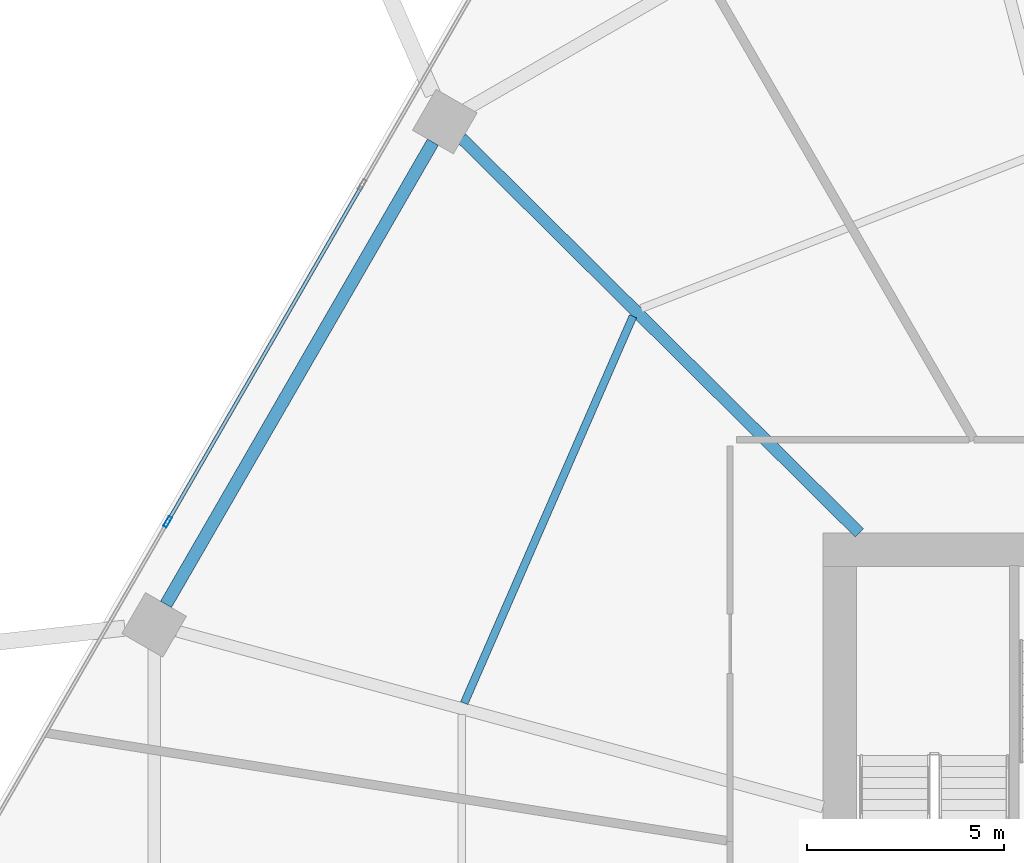
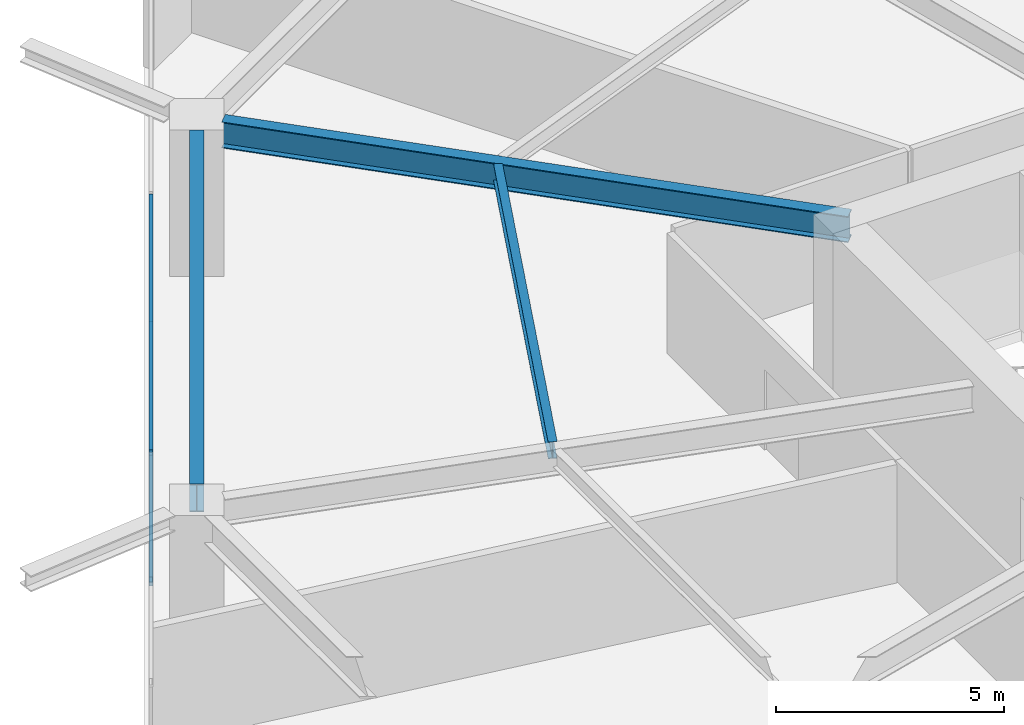
# One storey, part 13 of 25: 3 beams, 3 members, 1 element without a shape of its own.
"""IFC4 building model written with IfcOpenShell, lengths in metres."""

from ifc_helpers import new_model, si_unit, direction, frame, origin, origin_2d, place, context, subcontext, project, spatial, hollow_rectangle, i_section, extrude, material, material_profile, profile_set, type_object, element, aggregate, save


model = new_model("IFC4")

# Units and contexts
model_context = context("Model", 3, precision=1e-05, world=origin(), true_north=direction((0.0, 1.0)))
body_context = subcontext(model_context, "Body", "Model", "MODEL_VIEW")
ifc_project = project(units=[si_unit("LENGTHUNIT", "METRE"), si_unit("AREAUNIT", "SQUARE_METRE"), si_unit("VOLUMEUNIT", "CUBIC_METRE"), si_unit("PLANEANGLEUNIT", "RADIAN"), si_unit("MASSUNIT", "GRAM", prefix="KILO")], contexts=[model_context])

# Site, building, storey
site_placement = place(None, origin())
site = spatial("IfcSite", under=ifc_project, at=site_placement, CompositionType="ELEMENT")
building_placement = place(site_placement, origin())
building = spatial("IfcBuilding", under=site, at=building_placement, Name="Zuhravey Tower", CompositionType="ELEMENT")
storey_placement = place(building_placement, frame((0.0, 0.0, 70.800048828125)))
storey = spatial("IfcBuildingStorey", under=building, at=storey_placement, Name="L17", CompositionType="ELEMENT", Elevation=70.800048828125)

# Curtain wall, members
ifc_material_1 = material(Name="Thermally broken anodised aluminium", Category="aluminium")
curtain_wall_type = type_object("IfcCurtainWallType", Name="School Low-E Unitised Curtain Wall CW1", PredefinedType="NOTDEFINED", material=ifc_material_1)
curtain_wall_placement = place(storey_placement, origin())
curtain_wall = element("IfcCurtainWall", 1, at=curtain_wall_placement, inside=storey, type_object=curtain_wall_type, Name="L17 CW1 CW-L17-F3-1", PredefinedType="NOTDEFINED")
ifc_material_2 = material(Name="Anodised aluminium", Category="aluminium")
ifc_material_profile_1 = material_profile(ifc_material_2, hollow_rectangle(XDim=0.090087890625, YDim=0.284912109375, WallThickness=0.0048828125, at=origin_2d()), Name="ALU-RHS-90x285x5")
ifc_profile_set_1 = profile_set([ifc_material_profile_1], Name="Anodised aluminium")
member_type_1 = type_object("IfcMemberType", Name="Curtain-Wall Mullion 90x180", PredefinedType="MULLION", material=ifc_profile_set_1)
member_1_placement = place(storey_placement, frame((8.45458984375, 42.20703125, 0.0), z_axis=(0.0, 0.0, 1.0), x_axis=(-0.86602552265, 0.499999794119, 0.0)))
member_1 = element("IfcMember", 2, at=member_1_placement, type_object=member_type_1, Name="CW1 mullion 2", PredefinedType="MULLION", context=body_context, shape_type="SweptSolid", body=[
    extrude(hollow_rectangle(XDim=0.090087890625, YDim=0.284912109375, WallThickness=0.0048828125, at=origin_2d()), origin(), (0.0, 0.0, 1.0), 3.491943359375),
])
ifc_material_profile_2 = material_profile(ifc_material_2, hollow_rectangle(XDim=0.090087890625, YDim=0.14990234375, WallThickness=0.0048828125, at=origin_2d()), Name="ALU-RHS-90x150x5")
ifc_profile_set_2 = profile_set([ifc_material_profile_2], Name="Anodised aluminium")
member_type_2 = type_object("IfcMemberType", Name="Curtain-Wall Transom 90x150", PredefinedType="USERDEFINED", material=ifc_profile_set_2)
member_2_placement = place(storey_placement, frame((8.47705078125, 42.245849609375, 0.044921875), z_axis=(0.499990498062, 0.866030889661, 0.0), x_axis=(-0.866030889661, 0.499990498062, 0.0)))
member_2 = element("IfcMember", 3, at=member_2_placement, type_object=member_type_2, Name="CW1 transom 2.1", ObjectType="TRANSOM", PredefinedType="USERDEFINED", context=body_context, shape_type="SweptSolid", body=[
    extrude(hollow_rectangle(XDim=0.090087890625, YDim=0.14990234375, WallThickness=0.0048828125, at=origin_2d()), origin(), (0.0, 0.0, 1.0), 9.776611328125),
])
member_3_placement = place(storey_placement, frame((8.47705078125, 42.245849609375, 3.447021484375), z_axis=(0.499990498062, 0.866030889661, 0.0), x_axis=(-0.866030889661, 0.499990498062, 0.0)))
member_3 = element("IfcMember", 4, at=member_3_placement, type_object=member_type_2, Name="CW1 transom 2.2", ObjectType="TRANSOM", PredefinedType="USERDEFINED", context=body_context, shape_type="SweptSolid", body=[
    extrude(hollow_rectangle(XDim=0.090087890625, YDim=0.14990234375, WallThickness=0.0048828125, at=origin_2d()), origin(), (0.0, 0.0, 1.0), 9.776611328125),
])
aggregate(curtain_wall, [member_1, member_2, member_3])

# Beams
ifc_material_3 = material(Name="Steel SM355", Category="steel")
ifc_material_profile_3 = material_profile(ifc_material_3, i_section(OverallWidth=0.320068359375, OverallDepth=0.75, WebThickness=0.013916015625, FlangeThickness=0.02490234375, at=origin_2d()), Name="H-750x320x14x25")
ifc_profile_set_3 = profile_set([ifc_material_profile_3], Name="Steel SM355")
beam_type_1 = type_object("IfcBeamType", Name="Perimeter Ring Beam H750x320", PredefinedType="BEAM", material=ifc_profile_set_3)
beam_1_placement = place(storey_placement, frame((15.179443359375, 51.834716796875, 3.544921875), z_axis=(-0.499999877243, -0.866025474658, 0.0), x_axis=(0.866025474658, -0.499999877243, 0.0)))
element("IfcBeam", 5, at=beam_1_placement, inside=storey, type_object=beam_type_1, Name="L17 PB1 BM-L17-PB-05", PredefinedType="BEAM", context=body_context, shape_type="SweptSolid", body=[
    extrude(i_section(OverallWidth=0.320068359375, OverallDepth=0.75, WebThickness=0.013916015625, FlangeThickness=0.02490234375, at=origin_2d()), origin(), (0.0, 0.0, 1.0), 13.5341796875),
])
ifc_material_profile_4 = material_profile(ifc_material_3, i_section(OverallWidth=0.300048828125, OverallDepth=0.699951171875, WebThickness=0.012939453125, FlangeThickness=0.02392578125, at=origin_2d()), Name="H-700x300x13x24")
ifc_profile_set_4 = profile_set([ifc_material_profile_4], Name="Steel SM355")
beam_type_2 = type_object("IfcBeamType", Name="Radial Primary Girder H700x300", PredefinedType="BEAM", material=ifc_profile_set_4)
beam_2_placement = place(storey_placement, frame((25.992919921875, 41.927978515625, 3.570068359375), z_axis=(-0.709902823282, 0.704299639, 0.0), x_axis=(-0.704299639, -0.709902823282, 0.0)))
element("IfcBeam", 6, at=beam_2_placement, inside=storey, type_object=beam_type_2, Name="L17 RG1 BM-L17-RAD-05", PredefinedType="BEAM", context=body_context, shape_type="SweptSolid", body=[
    extrude(i_section(OverallWidth=0.300048828125, OverallDepth=0.699951171875, WebThickness=0.012939453125, FlangeThickness=0.02392578125, at=origin_2d()), origin(), (0.0, 0.0, 1.0), 14.204345703125),
])
ifc_material_profile_5 = material_profile(ifc_material_3, i_section(OverallWidth=0.199951171875, OverallDepth=0.449951171875, WebThickness=0.009033203125, FlangeThickness=0.013916015625, at=origin_2d()), Name="H-450x200x9x14")
ifc_profile_set_5 = profile_set([ifc_material_profile_5], Name="Steel SM355")
beam_type_3 = type_object("IfcBeamType", Name="Secondary Floor Joist H450x200", PredefinedType="JOIST", material=ifc_profile_set_5)
beam_3_placement = place(storey_placement, frame((20.2548828125, 47.41845703125, 3.695068359375), z_axis=(-0.399923551578, -0.916548500022, 0.0), x_axis=(0.916548500022, -0.399923551578, 0.0)))
element("IfcBeam", 7, at=beam_3_placement, inside=storey, type_object=beam_type_3, Name="L17 SJ1 BM-L17-SJ-05-1", PredefinedType="JOIST", context=body_context, shape_type="SweptSolid", body=[
    extrude(i_section(OverallWidth=0.199951171875, OverallDepth=0.449951171875, WebThickness=0.009033203125, FlangeThickness=0.013916015625, at=origin_2d()), origin(), (0.0, 0.0, 1.0), 10.70263671875),
])

save(model, "model.ifc")
